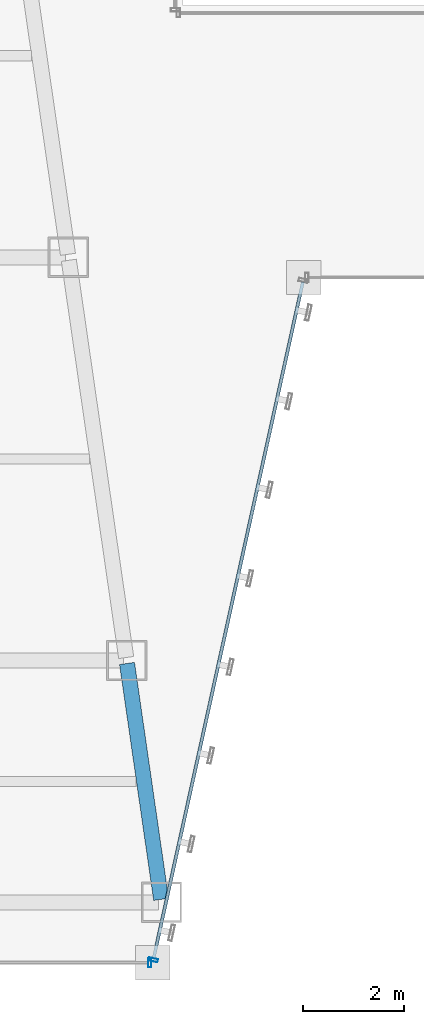
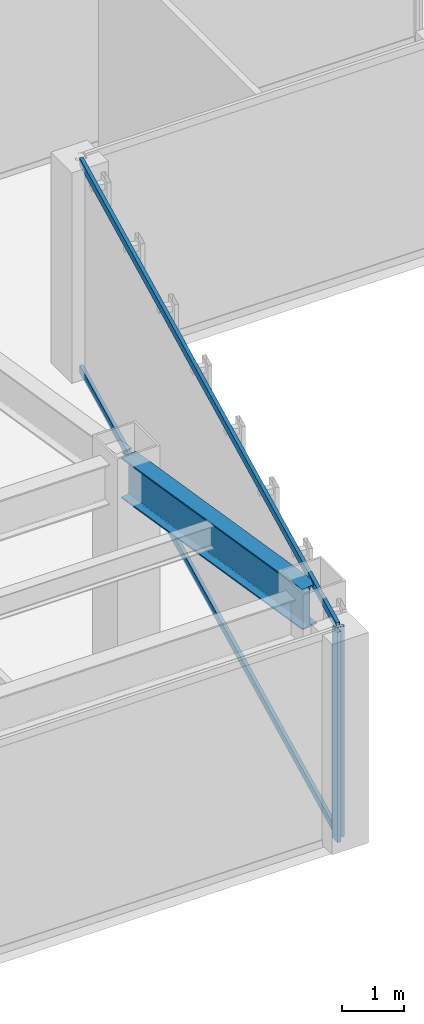
# One storey, part 7 of 47: 4 members, 1 beam, 2 elements without a shape of their own.
"""IFC4 building model written with IfcOpenShell, lengths in metres."""

from ifc_helpers import new_model, si_unit, direction, frame, origin, origin_2d, place, context, subcontext, project, spatial, hollow_rectangle, i_section, extrude, material, material_profile, profile_set, type_object, element, aggregate, save


model = new_model("IFC4")

# Units and contexts
model_context = context("Model", 3, precision=1e-05, world=origin(), true_north=direction((0.0, 1.0)))
body_context = subcontext(model_context, "Body", "Model", "MODEL_VIEW")
ifc_project = project(units=[si_unit("LENGTHUNIT", "METRE"), si_unit("AREAUNIT", "SQUARE_METRE"), si_unit("VOLUMEUNIT", "CUBIC_METRE"), si_unit("PLANEANGLEUNIT", "RADIAN"), si_unit("MASSUNIT", "GRAM", prefix="KILO")], contexts=[model_context])

# Site, building, storey
site_placement = place(None, origin())
site = spatial("IfcSite", under=ifc_project, at=site_placement, CompositionType="ELEMENT")
building_placement = place(site_placement, origin())
building = spatial("IfcBuilding", under=site, at=building_placement, Name="Saevonmaru Cultural Tower", CompositionType="ELEMENT")
storey_placement = place(building_placement, frame((0.0, 0.0, 47.199951171875)))
storey = spatial("IfcBuildingStorey", under=building, at=storey_placement, Name="L09", CompositionType="ELEMENT", Elevation=47.199951171875)

# Beam
ifc_material_1 = material(Name="Steel SM420", Category="steel")
ifc_material_profile_1 = material_profile(ifc_material_1, i_section(OverallWidth=0.300048828125, OverallDepth=0.800048828125, WebThickness=0.013916015625, FlangeThickness=0.02587890625, FilletRadius=0.028076171875, at=origin_2d()), Name="H-800x300x14x26")
ifc_profile_set_1 = profile_set([ifc_material_profile_1], Name="Steel SM420")
beam_type = type_object("IfcBeamType", Name="BM-G-H800", PredefinedType="BEAM", material=ifc_profile_set_1)
beam_placement = place(storey_placement, frame((23.768310546875, 3.259521484375, 3.75), z_axis=(-0.143083234893, 0.989710658674, 0.0), x_axis=(-0.989710658674, -0.143083234893, 0.0)))
element("IfcBeam", 1, at=beam_placement, inside=storey, type_object=beam_type, Name="L09 West Atrium Girder 1", PredefinedType="BEAM", context=body_context, shape_type="SweptSolid", body=[
    extrude(i_section(OverallWidth=0.300048828125, OverallDepth=0.800048828125, WebThickness=0.013916015625, FlangeThickness=0.02587890625, FilletRadius=0.028076171875, at=origin_2d()), origin(), (0.0, 0.0, 1.0), 4.729736328125),
])

# Curtain wall, member
ifc_material_2 = material(Name="Satin Bronze Anodised Aluminium", Category="aluminium")
curtain_wall_type = type_object("IfcCurtainWallType", Name="CW-TYP-A", PredefinedType="NOTDEFINED", material=ifc_material_2)
curtain_wall_1_placement = place(storey_placement, origin())
curtain_wall_1 = element("IfcCurtainWall", 2, at=curtain_wall_1_placement, inside=storey, type_object=curtain_wall_type, Name="L09 Unitised Curtain Wall E2", PredefinedType="NOTDEFINED")
ifc_material_profile_2 = material_profile(ifc_material_2, hollow_rectangle(XDim=0.06494140625, YDim=0.179931640625, WallThickness=0.00390625, at=origin_2d()), Name="ALU-MULL-180x65x4")
ifc_profile_set_2 = profile_set([ifc_material_profile_2], Name="Satin Bronze Anodised Aluminium")
member_type_1 = type_object("IfcMemberType", Name="ML-CW-180x65", PredefinedType="MULLION", material=ifc_profile_set_2)
member_1_placement = place(storey_placement, frame((23.5400390625, 2.0, 0.0), z_axis=(0.0, 0.0, 1.0), x_axis=(1.0, 0.0, 0.0)))
member_1 = element("IfcMember", 3, at=member_1_placement, type_object=member_type_1, Name="CW-TW-L09-E2 mullion 2", PredefinedType="MULLION", context=body_context, shape_type="SweptSolid", body=[
    extrude(hollow_rectangle(XDim=0.06494140625, YDim=0.179931640625, WallThickness=0.00390625, at=origin_2d()), origin(), (0.0, 0.0, 1.0), 4.150146484375),
])
aggregate(curtain_wall_1, [member_1])

# Curtain wall, members
curtain_wall_2_placement = place(storey_placement, origin())
curtain_wall_2 = element("IfcCurtainWall", 4, at=curtain_wall_2_placement, inside=storey, type_object=curtain_wall_type, Name="L09 Unitised Curtain Wall E3", PredefinedType="NOTDEFINED")
member_2_placement = place(storey_placement, frame((23.61279296875, 2.05859375, 0.0), z_axis=(0.0, 0.0, 1.0), x_axis=(0.215413319953, 0.976522965212, 0.0)))
member_2 = element("IfcMember", 5, at=member_2_placement, type_object=member_type_1, Name="CW-TW-L09-E3 mullion 1", PredefinedType="MULLION", context=body_context, shape_type="SweptSolid", body=[
    extrude(hollow_rectangle(XDim=0.06494140625, YDim=0.179931640625, WallThickness=0.00390625, at=origin_2d()), origin(), (0.0, 0.0, 1.0), 4.150146484375),
])
ifc_material_profile_3 = material_profile(ifc_material_2, hollow_rectangle(XDim=0.06494140625, YDim=0.14990234375, WallThickness=0.00390625, at=origin_2d()), Name="ALU-TRAN-150x65x4")
ifc_profile_set_3 = profile_set([ifc_material_profile_3], Name="Satin Bronze Anodised Aluminium")
member_type_2 = type_object("IfcMemberType", Name="TR-CW-150x65", PredefinedType="USERDEFINED", material=ifc_profile_set_3)
member_3_placement = place(storey_placement, frame((23.619873046875, 2.09033203125, 0.032470703125), z_axis=(0.21541214732, 0.976523223885, 0.0), x_axis=(-0.976523223885, 0.21541214732, 0.0)))
member_3 = element("IfcMember", 6, at=member_3_placement, type_object=member_type_2, Name="CW-TW-L09-E3 transom 1.1", ObjectType="TRANSOM", PredefinedType="USERDEFINED", context=body_context, shape_type="SweptSolid", body=[
    extrude(hollow_rectangle(XDim=0.06494140625, YDim=0.14990234375, WallThickness=0.00390625, at=origin_2d()), origin(), (0.0, 0.0, 1.0), 13.741943359375),
])
member_4_placement = place(storey_placement, frame((23.619873046875, 2.09033203125, 4.117431640625), z_axis=(0.21541214732, 0.976523223885, 0.0), x_axis=(-0.976523223885, 0.21541214732, 0.0)))
member_4 = element("IfcMember", 7, at=member_4_placement, type_object=member_type_2, Name="CW-TW-L09-E3 transom 1.2", ObjectType="TRANSOM", PredefinedType="USERDEFINED", context=body_context, shape_type="SweptSolid", body=[
    extrude(hollow_rectangle(XDim=0.06494140625, YDim=0.14990234375, WallThickness=0.00390625, at=origin_2d()), origin(), (0.0, 0.0, 1.0), 13.741943359375),
])
aggregate(curtain_wall_2, [member_2, member_3, member_4])

save(model, "model.ifc")
